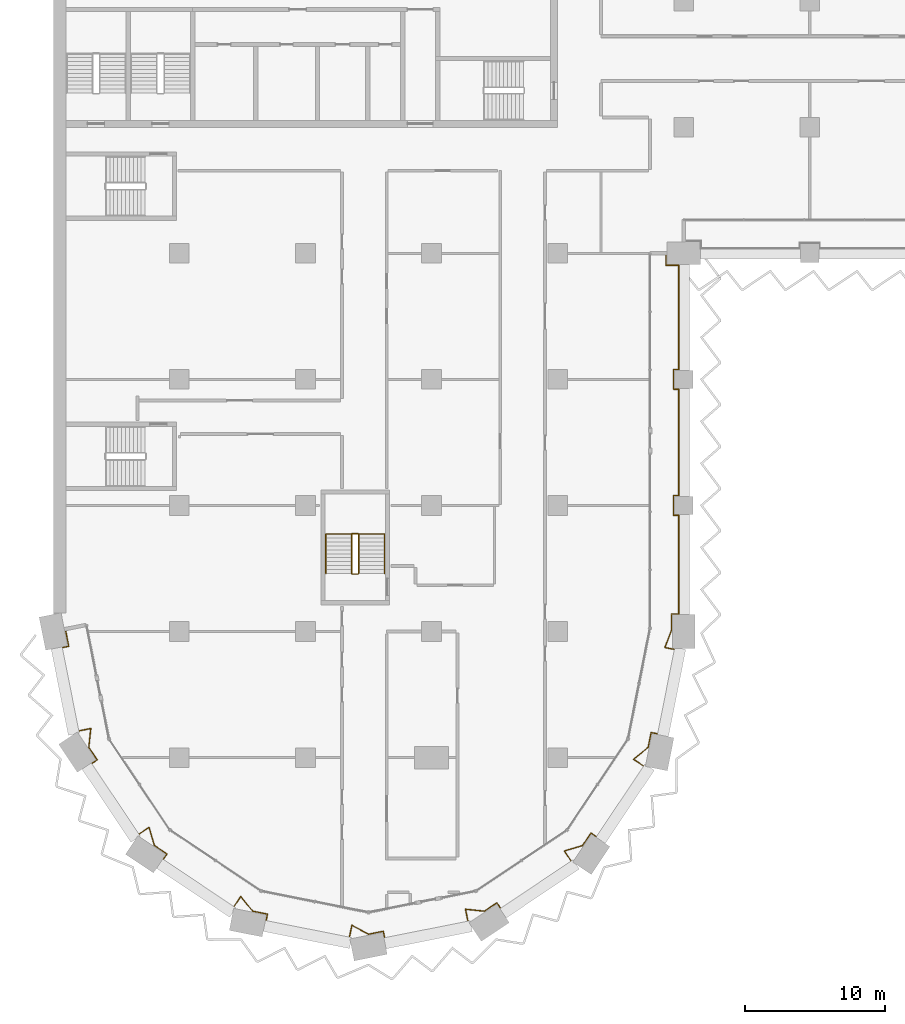
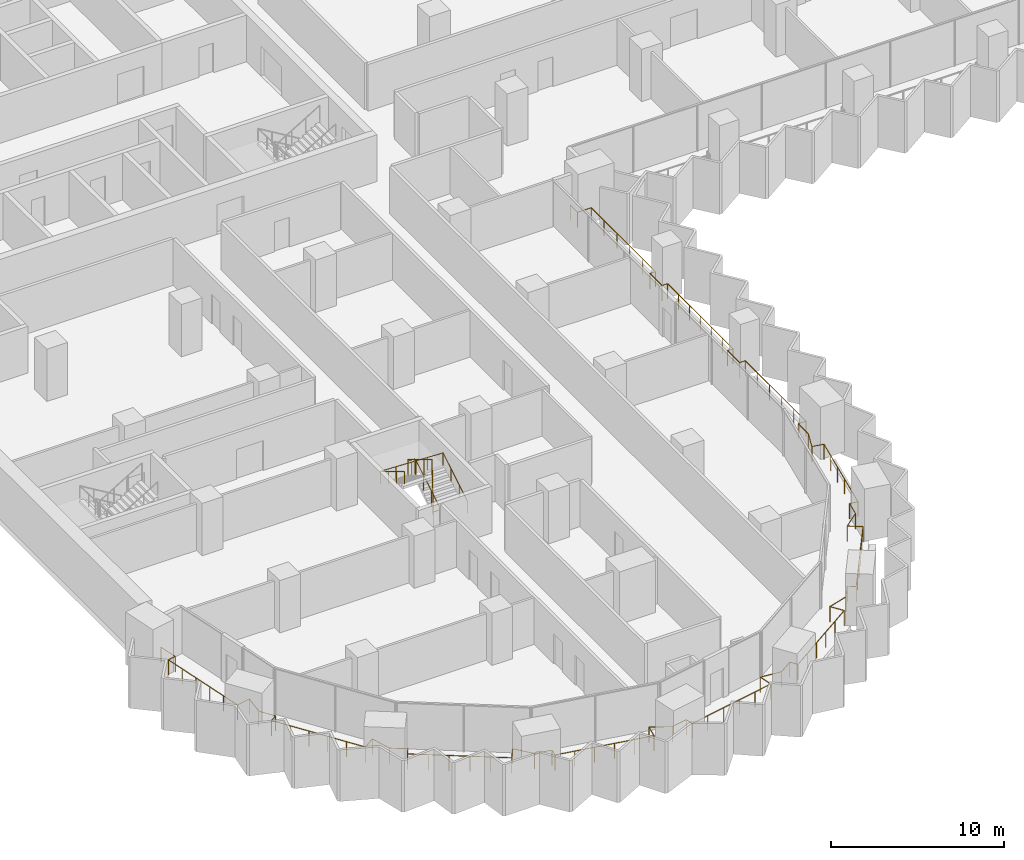
# One storey, part 24 of 28: 3 railings.
"""IFC4 building model written with IfcOpenShell, lengths in metres."""

from ifc_helpers import new_model, si_unit, direction, frame, origin, origin_2d, place, context, subcontext, project, spatial, circle, extrude, material, type_object, element, save


model = new_model("IFC4")

# Units and contexts
model_context = context("Model", 3, precision=1e-05, world=origin(), true_north=direction((0.0, 1.0)))
body_context = subcontext(model_context, "Body", "Model", "MODEL_VIEW")
ifc_project = project(units=[si_unit("LENGTHUNIT", "METRE"), si_unit("AREAUNIT", "SQUARE_METRE"), si_unit("VOLUMEUNIT", "CUBIC_METRE"), si_unit("PLANEANGLEUNIT", "RADIAN"), si_unit("MASSUNIT", "GRAM", prefix="KILO")], contexts=[model_context])

# Site, building, storey
site_placement = place(None, origin())
site = spatial("IfcSite", under=ifc_project, at=site_placement, CompositionType="ELEMENT")
building_placement = place(site_placement, origin())
building = spatial("IfcBuilding", under=site, at=building_placement, Name="Hunhe Ridgeline Campus", CompositionType="ELEMENT")
storey_placement = place(building_placement, frame((0.0, 0.0, 61.699951171875)))
storey = spatial("IfcBuildingStorey", under=building, at=storey_placement, Name="L14", CompositionType="ELEMENT", Elevation=61.699951171875)

# Railings
ifc_material_1 = material(Name="Steel Q355", Category="steel")
railing_type_1 = type_object("IfcRailingType", Name="Loggia guard 1100 Steel Q355", PredefinedType="GUARDRAIL", material=ifc_material_1)
railing_1_placement = place(storey_placement, frame((0.853271484375, 27.169677734375, 0.0)))
element("IfcRailing", 1, at=railing_1_placement, inside=storey, type_object=railing_type_1, Name="Loggia guard 1", PredefinedType="GUARDRAIL", context=body_context, shape_type="SweptSolid", body=[
    extrude(circle(Radius=0.02392578125, at=origin_2d()), frame((0.0, 0.0, 1.076171875), z_axis=(0.195139364365, -0.980775523999, 0.0), x_axis=(0.980775523999, 0.195139364365, 0.0)), (0.0, 0.0, 1.0), 1.249755859375),
    extrude(circle(Radius=0.02392578125, at=origin_2d()), frame((0.243896484375, -1.225830078125, 1.076171875), z_axis=(-0.980742851189, -0.195303506986, 0.0), x_axis=(0.195303506986, -0.980742851189, 0.0)), (0.0, 0.0, 1.0), 0.52001953125),
    extrude(circle(Radius=0.02392578125, at=origin_2d()), frame((-0.26611328125, -1.327392578125, 1.076171875), z_axis=(0.195094074844, -0.980784533912, 0.0), x_axis=(0.980784533912, 0.195094074844, 0.0)), (0.0, 0.0, 1.0), 6.064208984375),
    extrude(circle(Radius=0.02392578125, at=origin_2d()), frame((0.9169921875, -7.275146484375, 1.076171875), z_axis=(0.980774480174, 0.195144610585, 0.0), x_axis=(-0.195144610585, 0.980774480174, 0.0)), (0.0, 0.0, 1.0), 0.918212890625),
    extrude(circle(Radius=0.02392578125, at=origin_2d()), frame((1.817626953125, -7.095947265625, 1.076171875), z_axis=(-0.102578746514, -0.994724886973, 0.0), x_axis=(0.994724886973, -0.102578746514, 0.0)), (0.0, 0.0, 1.0), 1.351806640625),
    extrude(circle(Radius=0.02392578125, at=origin_2d()), frame((1.678955078125, -8.440673828125, 1.076171875), z_axis=(0.555693885997, -0.831386976724, 0.0), x_axis=(0.831386976724, 0.555693885997, 0.0)), (0.0, 0.0, 1.0), 1.076904296875),
    extrude(circle(Radius=0.02392578125, at=origin_2d()), frame((2.27734375, -9.3359375, 1.076171875), z_axis=(-0.831327417949, -0.555782982977, 0.0), x_axis=(0.555782982977, -0.831327417949, 0.0)), (0.0, 0.0, 1.0), 0.52001953125),
    extrude(circle(Radius=0.02392578125, at=origin_2d()), frame((1.844970703125, -9.625, 1.076171875), z_axis=(0.55557319973, -0.831467630002, 0.0), x_axis=(0.831467630002, 0.55557319973, 0.0)), (0.0, 0.0, 1.0), 6.064208984375),
    extrude(circle(Radius=0.02392578125, at=origin_2d()), frame((5.214111328125, -14.667236328125, 1.076171875), z_axis=(0.831395250422, 0.555681507318, 0.0), x_axis=(-0.555681507318, 0.831395250422, 0.0)), (0.0, 0.0, 1.0), 0.918212890625),
    extrude(circle(Radius=0.02392578125, at=origin_2d()), frame((5.9775390625, -14.156982421875, 1.076171875), z_axis=(0.285889499126, -0.958262591511, 0.0), x_axis=(0.958262591511, 0.285889499126, 0.0)), (0.0, 0.0, 1.0), 1.351806640625),
    extrude(circle(Radius=0.02392578125, at=origin_2d()), frame((6.364013671875, -15.452392578125, 1.076171875), z_axis=(0.831456967492, -0.555589156849, 0.0), x_axis=(0.555589156849, 0.831456967492, 0.0)), (0.0, 0.0, 1.0), 1.0771484375),
    extrude(circle(Radius=0.02392578125, at=origin_2d()), frame((7.259521484375, -16.05078125, 1.076171875), z_axis=(-0.555675381322, -0.831399344835, 0.0), x_axis=(0.831399344835, -0.555675381322, 0.0)), (0.0, 0.0, 1.0), 0.519775390625),
    extrude(circle(Radius=0.02392578125, at=origin_2d()), frame((6.970703125, -16.48291015625, 1.076171875), z_axis=(0.831467630002, -0.55557319973, 0.0), x_axis=(0.55557319973, 0.831467630002, 0.0)), (0.0, 0.0, 1.0), 6.064208984375),
    extrude(circle(Radius=0.02392578125, at=origin_2d()), frame((12.012939453125, -19.85205078125, 1.076171875), z_axis=(0.555497688072, 0.831518080709, 0.0), x_axis=(-0.831518080709, 0.555497688072, 0.0)), (0.0, 0.0, 1.0), 0.918212890625),
    extrude(circle(Radius=0.02392578125, at=origin_2d()), frame((12.52294921875, -19.088623046875, 1.076171875), z_axis=(0.630864561128, -0.775892972976, 0.0), x_axis=(0.775892972976, 0.630864561128, 0.0)), (0.0, 0.0, 1.0), 1.351806640625),
    extrude(circle(Radius=0.02392578125, at=origin_2d()), frame((13.375732421875, -20.137451171875, 1.076171875), z_axis=(0.980771998786, -0.195157081339, 0.0), x_axis=(0.195157081339, 0.980771998786, 0.0)), (0.0, 0.0, 1.0), 1.0771484375),
    extrude(circle(Radius=0.02392578125, at=origin_2d()), frame((14.43212890625, -20.34765625, 1.076171875), z_axis=(-0.195303506986, -0.980742851189, 0.0), x_axis=(0.980742851189, -0.195303506986, 0.0)), (0.0, 0.0, 1.0), 0.52001953125),
    extrude(circle(Radius=0.02392578125, at=origin_2d()), frame((14.33056640625, -20.857666015625, 1.076171875), z_axis=(0.980792236535, -0.195055347919, 0.0), x_axis=(0.195055347919, 0.980792236535, 0.0)), (0.0, 0.0, 1.0), 6.064208984375),
    extrude(circle(Radius=0.02392578125, at=origin_2d()), frame((20.2783203125, -22.04052734375, 1.076171875), z_axis=(0.195144610585, 0.980774480174, 0.0), x_axis=(-0.980774480174, 0.195144610585, 0.0)), (0.0, 0.0, 1.0), 0.918212890625),
    extrude(circle(Radius=0.02392578125, at=origin_2d()), frame((20.45751953125, -21.139892578125, 1.076171875), z_axis=(0.879704471732, -0.475520811757, 0.0), x_axis=(0.475520811757, 0.879704471732, 0.0)), (0.0, 0.0, 1.0), 1.351806640625),
    extrude(circle(Radius=0.02392578125, at=origin_2d()), frame((21.646728515625, -21.78271484375, 1.076171875), z_axis=(0.980763363144, 0.195200475189, 0.0), x_axis=(-0.195200475189, 0.980763363144, 0.0)), (0.0, 0.0, 1.0), 1.076904296875),
    extrude(circle(Radius=0.02392578125, at=origin_2d()), frame((22.702880859375, -21.572509765625, 1.076171875), z_axis=(0.195303506986, -0.980742851189, 0.0), x_axis=(0.980742851189, 0.195303506986, 0.0)), (0.0, 0.0, 1.0), 0.52001953125),
    extrude(circle(Radius=0.02392578125, at=origin_2d()), frame((22.804443359375, -22.08251953125, 1.076171875), z_axis=(0.980784533912, 0.195094074844, 0.0), x_axis=(-0.195094074844, 0.980784533912, 0.0)), (0.0, 0.0, 1.0), 6.064208984375),
    extrude(circle(Radius=0.02392578125, at=origin_2d()), frame((28.752197265625, -20.8994140625, 1.076171875), z_axis=(-0.195144610585, 0.980774480174, 0.0), x_axis=(-0.980774480174, -0.195144610585, 0.0)), (0.0, 0.0, 1.0), 0.918212890625),
    extrude(circle(Radius=0.02392578125, at=origin_2d()), frame((28.572998046875, -19.998779296875, 1.076171875), z_axis=(0.994724886973, -0.102578746514, 0.0), x_axis=(0.102578746514, 0.994724886973, 0.0)), (0.0, 0.0, 1.0), 1.351806640625),
    extrude(circle(Radius=0.02392578125, at=origin_2d()), frame((29.917724609375, -20.137451171875, 1.076171875), z_axis=(0.831386976724, 0.555693885997, 0.0), x_axis=(-0.555693885997, 0.831386976724, 0.0)), (0.0, 0.0, 1.0), 1.076904296875),
    extrude(circle(Radius=0.02392578125, at=origin_2d()), frame((30.81298828125, -19.5390625, 1.076171875), z_axis=(0.555782982977, -0.831327417949, 0.0), x_axis=(0.831327417949, 0.555782982977, 0.0)), (0.0, 0.0, 1.0), 0.52001953125),
    extrude(circle(Radius=0.02392578125, at=origin_2d()), frame((31.10205078125, -19.971435546875, 1.076171875), z_axis=(0.831467630002, 0.55557319973, 0.0), x_axis=(-0.55557319973, 0.831467630002, 0.0)), (0.0, 0.0, 1.0), 6.064208984375),
    extrude(circle(Radius=0.02392578125, at=origin_2d()), frame((36.144287109375, -16.602294921875, 1.076171875), z_axis=(-0.555681507318, 0.831395250422, 0.0), x_axis=(-0.831395250422, -0.555681507318, 0.0)), (0.0, 0.0, 1.0), 0.918212890625),
    extrude(circle(Radius=0.02392578125, at=origin_2d()), frame((35.634033203125, -15.8388671875, 1.076171875), z_axis=(0.958262591511, 0.285889499126, 0.0), x_axis=(-0.285889499126, 0.958262591511, 0.0)), (0.0, 0.0, 1.0), 1.351806640625),
    extrude(circle(Radius=0.02392578125, at=origin_2d()), frame((36.929443359375, -15.452392578125, 1.076171875), z_axis=(0.555589156849, 0.831456967492, 0.0), x_axis=(-0.831456967492, 0.555589156849, 0.0)), (0.0, 0.0, 1.0), 1.0771484375),
    extrude(circle(Radius=0.02392578125, at=origin_2d()), frame((37.52783203125, -14.556884765625, 1.076171875), z_axis=(0.831399344835, -0.555675381322, 0.0), x_axis=(0.555675381322, 0.831399344835, 0.0)), (0.0, 0.0, 1.0), 0.519775390625),
    extrude(circle(Radius=0.02392578125, at=origin_2d()), frame((37.9599609375, -14.845703125, 1.076171875), z_axis=(0.55557319973, 0.831467630002, 0.0), x_axis=(-0.831467630002, 0.55557319973, 0.0)), (0.0, 0.0, 1.0), 6.064208984375),
    extrude(circle(Radius=0.02392578125, at=origin_2d()), frame((41.3291015625, -9.803466796875, 1.076171875), z_axis=(-0.831518080709, 0.555497688072, 0.0), x_axis=(-0.555497688072, -0.831518080709, 0.0)), (0.0, 0.0, 1.0), 0.918212890625),
    extrude(circle(Radius=0.02392578125, at=origin_2d()), frame((40.565673828125, -9.29345703125, 1.076171875), z_axis=(0.775892972976, 0.630864561128, 0.0), x_axis=(-0.630864561128, 0.775892972976, 0.0)), (0.0, 0.0, 1.0), 1.351806640625),
    extrude(circle(Radius=0.02392578125, at=origin_2d()), frame((41.614501953125, -8.440673828125, 1.076171875), z_axis=(0.195157081339, 0.980771998786, 0.0), x_axis=(-0.980771998786, 0.195157081339, 0.0)), (0.0, 0.0, 1.0), 1.0771484375),
    extrude(circle(Radius=0.02392578125, at=origin_2d()), frame((41.82470703125, -7.38427734375, 1.076171875), z_axis=(0.980742851189, -0.195303506986, 0.0), x_axis=(0.195303506986, 0.980742851189, 0.0)), (0.0, 0.0, 1.0), 0.52001953125),
    extrude(circle(Radius=0.02392578125, at=origin_2d()), frame((42.334716796875, -7.48583984375, 1.076171875), z_axis=(0.19507712928, 0.980787904509, 0.0), x_axis=(-0.980787904509, 0.19507712928, 0.0)), (0.0, 0.0, 1.0), 6.146240234375),
    extrude(circle(Radius=0.02392578125, at=origin_2d()), frame((43.53369140625, -1.457763671875, 1.076171875), z_axis=(-0.980808789294, 0.194972097602, 0.0), x_axis=(-0.194972097602, -0.980808789294, 0.0)), (0.0, 0.0, 1.0), 0.73876953125),
    extrude(circle(Radius=0.02392578125, at=origin_2d()), frame((42.80908203125, -1.313720703125, 1.076171875), z_axis=(0.35537018301, 0.93472564586, 0.0), x_axis=(-0.93472564586, 0.35537018301, 0.0)), (0.0, 0.0, 1.0), 1.315673828125),
    extrude(circle(Radius=0.02392578125, at=origin_2d()), frame((43.276611328125, -0.083984375, 1.076171875), z_axis=(0.0, 1.0, 0.0), x_axis=(-1.0, 0.0, 0.0)), (0.0, 0.0, 1.0), 1.164306640625),
    extrude(circle(Radius=0.02392578125, at=origin_2d()), frame((43.276611328125, 1.080322265625, 1.076171875), z_axis=(1.0, 0.0, 0.0), x_axis=(0.0, 1.0, 0.0)), (0.0, 0.0, 1.0), 0.52001953125),
    extrude(circle(Radius=0.02392578125, at=origin_2d()), frame((43.796630859375, 1.080322265625, 1.076171875), z_axis=(0.0, 1.0, 0.0), x_axis=(-1.0, 0.0, 0.0)), (0.0, 0.0, 1.0), 7.050048828125),
    extrude(circle(Radius=0.02392578125, at=origin_2d()), frame((43.796630859375, 8.13037109375, 1.076171875), z_axis=(-1.0, 0.0, 0.0), x_axis=(0.0, -1.0, 0.0)), (0.0, 0.0, 1.0), 0.369873046875),
    extrude(circle(Radius=0.02392578125, at=origin_2d()), frame((43.4267578125, 8.13037109375, 1.076171875), z_axis=(0.0, 1.0, 0.0), x_axis=(-1.0, 0.0, 0.0)), (0.0, 0.0, 1.0), 1.39990234375),
    extrude(circle(Radius=0.02392578125, at=origin_2d()), frame((43.4267578125, 9.5302734375, 1.076171875), z_axis=(1.0, 0.0, 0.0), x_axis=(0.0, 1.0, 0.0)), (0.0, 0.0, 1.0), 0.369873046875),
    extrude(circle(Radius=0.02392578125, at=origin_2d()), frame((43.796630859375, 9.5302734375, 1.076171875), z_axis=(0.0, 1.0, 0.0), x_axis=(-1.0, 0.0, 0.0)), (0.0, 0.0, 1.0), 7.60009765625),
    extrude(circle(Radius=0.02392578125, at=origin_2d()), frame((43.796630859375, 17.13037109375, 1.076171875), z_axis=(-1.0, 0.0, 0.0), x_axis=(0.0, -1.0, 0.0)), (0.0, 0.0, 1.0), 0.369873046875),
    extrude(circle(Radius=0.02392578125, at=origin_2d()), frame((43.4267578125, 17.13037109375, 1.076171875), z_axis=(0.0, 1.0, 0.0), x_axis=(-1.0, 0.0, 0.0)), (0.0, 0.0, 1.0), 1.39990234375),
    extrude(circle(Radius=0.02392578125, at=origin_2d()), frame((43.4267578125, 18.5302734375, 1.076171875), z_axis=(1.0, 0.0, 0.0), x_axis=(0.0, 1.0, 0.0)), (0.0, 0.0, 1.0), 0.369873046875),
    extrude(circle(Radius=0.02392578125, at=origin_2d()), frame((43.796630859375, 18.5302734375, 1.076171875), z_axis=(0.0, 1.0, 0.0), x_axis=(-1.0, 0.0, 0.0)), (0.0, 0.0, 1.0), 7.449951171875),
    extrude(circle(Radius=0.02392578125, at=origin_2d()), frame((43.796630859375, 25.980224609375, 1.076171875), z_axis=(-1.0, 0.0, 0.0), x_axis=(0.0, -1.0, 0.0)), (0.0, 0.0, 1.0), 0.919921875),
    extrude(circle(Radius=0.02392578125, at=origin_2d()), frame((42.876708984375, 25.980224609375, 1.076171875), z_axis=(0.0, 1.0, 0.0), x_axis=(-1.0, 0.0, 0.0)), (0.0, 0.0, 1.0), 0.85009765625),
    extrude(circle(Radius=0.02099609375, at=origin_2d()), origin(), (0.0, 0.0, 1.0), 1.052001953125),
    extrude(circle(Radius=0.02099609375, at=origin_2d()), frame((0.243896484375, -1.225830078125, 0.0)), (0.0, 0.0, 1.0), 1.052001953125),
    extrude(circle(Radius=0.02099609375, at=origin_2d()), frame((-0.26611328125, -1.327392578125, 0.0)), (0.0, 0.0, 1.0), 1.052001953125),
    extrude(circle(Radius=0.02099609375, at=origin_2d()), frame((-0.029541015625, -2.516845703125, 0.0)), (0.0, 0.0, 1.0), 1.052001953125),
    extrude(circle(Radius=0.02099609375, at=origin_2d()), frame((0.20703125, -3.70654296875, 0.0)), (0.0, 0.0, 1.0), 1.052001953125),
    extrude(circle(Radius=0.02099609375, at=origin_2d()), frame((0.44384765625, -4.89599609375, 0.0)), (0.0, 0.0, 1.0), 1.052001953125),
    extrude(circle(Radius=0.02099609375, at=origin_2d()), frame((0.680419921875, -6.085693359375, 0.0)), (0.0, 0.0, 1.0), 1.052001953125),
    extrude(circle(Radius=0.02099609375, at=origin_2d()), frame((0.9169921875, -7.275146484375, 0.0)), (0.0, 0.0, 1.0), 1.052001953125),
    extrude(circle(Radius=0.02099609375, at=origin_2d()), frame((1.817626953125, -7.095947265625, 0.0)), (0.0, 0.0, 1.0), 1.052001953125),
    extrude(circle(Radius=0.02099609375, at=origin_2d()), frame((1.678955078125, -8.440673828125, 0.0)), (0.0, 0.0, 1.0), 1.052001953125),
    extrude(circle(Radius=0.02099609375, at=origin_2d()), frame((2.27734375, -9.3359375, 0.0)), (0.0, 0.0, 1.0), 1.052001953125),
    extrude(circle(Radius=0.02099609375, at=origin_2d()), frame((1.844970703125, -9.625, 0.0)), (0.0, 0.0, 1.0), 1.052001953125),
    extrude(circle(Radius=0.02099609375, at=origin_2d()), frame((2.518798828125, -10.633544921875, 0.0)), (0.0, 0.0, 1.0), 1.052001953125),
    extrude(circle(Radius=0.02099609375, at=origin_2d()), frame((3.192626953125, -11.641845703125, 0.0)), (0.0, 0.0, 1.0), 1.052001953125),
    extrude(circle(Radius=0.02099609375, at=origin_2d()), frame((3.866455078125, -12.650390625, 0.0)), (0.0, 0.0, 1.0), 1.052001953125),
    extrude(circle(Radius=0.02099609375, at=origin_2d()), frame((4.540283203125, -13.65869140625, 0.0)), (0.0, 0.0, 1.0), 1.052001953125),
    extrude(circle(Radius=0.02099609375, at=origin_2d()), frame((5.214111328125, -14.667236328125, 0.0)), (0.0, 0.0, 1.0), 1.052001953125),
    extrude(circle(Radius=0.02099609375, at=origin_2d()), frame((5.9775390625, -14.156982421875, 0.0)), (0.0, 0.0, 1.0), 1.052001953125),
    extrude(circle(Radius=0.02099609375, at=origin_2d()), frame((6.364013671875, -15.452392578125, 0.0)), (0.0, 0.0, 1.0), 1.052001953125),
    extrude(circle(Radius=0.02099609375, at=origin_2d()), frame((7.259521484375, -16.05078125, 0.0)), (0.0, 0.0, 1.0), 1.052001953125),
    extrude(circle(Radius=0.02099609375, at=origin_2d()), frame((6.970703125, -16.48291015625, 0.0)), (0.0, 0.0, 1.0), 1.052001953125),
    extrude(circle(Radius=0.02099609375, at=origin_2d()), frame((7.979248046875, -17.15673828125, 0.0)), (0.0, 0.0, 1.0), 1.052001953125),
    extrude(circle(Radius=0.02099609375, at=origin_2d()), frame((8.987548828125, -17.83056640625, 0.0)), (0.0, 0.0, 1.0), 1.052001953125),
    extrude(circle(Radius=0.02099609375, at=origin_2d()), frame((9.99609375, -18.50439453125, 0.0)), (0.0, 0.0, 1.0), 1.052001953125),
    extrude(circle(Radius=0.02099609375, at=origin_2d()), frame((11.00439453125, -19.17822265625, 0.0)), (0.0, 0.0, 1.0), 1.052001953125),
    extrude(circle(Radius=0.02099609375, at=origin_2d()), frame((12.012939453125, -19.85205078125, 0.0)), (0.0, 0.0, 1.0), 1.052001953125),
    extrude(circle(Radius=0.02099609375, at=origin_2d()), frame((12.52294921875, -19.088623046875, 0.0)), (0.0, 0.0, 1.0), 1.052001953125),
    extrude(circle(Radius=0.02099609375, at=origin_2d()), frame((13.375732421875, -20.137451171875, 0.0)), (0.0, 0.0, 1.0), 1.052001953125),
    extrude(circle(Radius=0.02099609375, at=origin_2d()), frame((14.43212890625, -20.34765625, 0.0)), (0.0, 0.0, 1.0), 1.052001953125),
    extrude(circle(Radius=0.02099609375, at=origin_2d()), frame((14.33056640625, -20.857666015625, 0.0)), (0.0, 0.0, 1.0), 1.052001953125),
    extrude(circle(Radius=0.02099609375, at=origin_2d()), frame((15.52001953125, -21.09423828125, 0.0)), (0.0, 0.0, 1.0), 1.052001953125),
    extrude(circle(Radius=0.02099609375, at=origin_2d()), frame((16.709716796875, -21.330810546875, 0.0)), (0.0, 0.0, 1.0), 1.052001953125),
    extrude(circle(Radius=0.02099609375, at=origin_2d()), frame((17.899169921875, -21.5673828125, 0.0)), (0.0, 0.0, 1.0), 1.052001953125),
    extrude(circle(Radius=0.02099609375, at=origin_2d()), frame((19.0888671875, -21.803955078125, 0.0)), (0.0, 0.0, 1.0), 1.052001953125),
    extrude(circle(Radius=0.02099609375, at=origin_2d()), frame((20.2783203125, -22.04052734375, 0.0)), (0.0, 0.0, 1.0), 1.052001953125),
    extrude(circle(Radius=0.02099609375, at=origin_2d()), frame((20.45751953125, -21.139892578125, 0.0)), (0.0, 0.0, 1.0), 1.052001953125),
    extrude(circle(Radius=0.02099609375, at=origin_2d()), frame((21.646728515625, -21.78271484375, 0.0)), (0.0, 0.0, 1.0), 1.052001953125),
    extrude(circle(Radius=0.02099609375, at=origin_2d()), frame((22.702880859375, -21.572509765625, 0.0)), (0.0, 0.0, 1.0), 1.052001953125),
    extrude(circle(Radius=0.02099609375, at=origin_2d()), frame((22.804443359375, -22.08251953125, 0.0)), (0.0, 0.0, 1.0), 1.052001953125),
    extrude(circle(Radius=0.02099609375, at=origin_2d()), frame((23.993896484375, -21.845947265625, 0.0)), (0.0, 0.0, 1.0), 1.052001953125),
    extrude(circle(Radius=0.02099609375, at=origin_2d()), frame((25.18359375, -21.609375, 0.0)), (0.0, 0.0, 1.0), 1.052001953125),
    extrude(circle(Radius=0.02099609375, at=origin_2d()), frame((26.373046875, -21.37255859375, 0.0)), (0.0, 0.0, 1.0), 1.052001953125),
    extrude(circle(Radius=0.02099609375, at=origin_2d()), frame((27.562744140625, -21.135986328125, 0.0)), (0.0, 0.0, 1.0), 1.052001953125),
    extrude(circle(Radius=0.02099609375, at=origin_2d()), frame((28.752197265625, -20.8994140625, 0.0)), (0.0, 0.0, 1.0), 1.052001953125),
    extrude(circle(Radius=0.02099609375, at=origin_2d()), frame((28.572998046875, -19.998779296875, 0.0)), (0.0, 0.0, 1.0), 1.052001953125),
    extrude(circle(Radius=0.02099609375, at=origin_2d()), frame((29.917724609375, -20.137451171875, 0.0)), (0.0, 0.0, 1.0), 1.052001953125),
    extrude(circle(Radius=0.02099609375, at=origin_2d()), frame((30.81298828125, -19.5390625, 0.0)), (0.0, 0.0, 1.0), 1.052001953125),
    extrude(circle(Radius=0.02099609375, at=origin_2d()), frame((31.10205078125, -19.971435546875, 0.0)), (0.0, 0.0, 1.0), 1.052001953125),
    extrude(circle(Radius=0.02099609375, at=origin_2d()), frame((32.110595703125, -19.297607421875, 0.0)), (0.0, 0.0, 1.0), 1.052001953125),
    extrude(circle(Radius=0.02099609375, at=origin_2d()), frame((33.118896484375, -18.623779296875, 0.0)), (0.0, 0.0, 1.0), 1.052001953125),
    extrude(circle(Radius=0.02099609375, at=origin_2d()), frame((34.12744140625, -17.949951171875, 0.0)), (0.0, 0.0, 1.0), 1.052001953125),
    extrude(circle(Radius=0.02099609375, at=origin_2d()), frame((35.1357421875, -17.276123046875, 0.0)), (0.0, 0.0, 1.0), 1.052001953125),
    extrude(circle(Radius=0.02099609375, at=origin_2d()), frame((36.144287109375, -16.602294921875, 0.0)), (0.0, 0.0, 1.0), 1.052001953125),
    extrude(circle(Radius=0.02099609375, at=origin_2d()), frame((35.634033203125, -15.8388671875, 0.0)), (0.0, 0.0, 1.0), 1.052001953125),
    extrude(circle(Radius=0.02099609375, at=origin_2d()), frame((36.929443359375, -15.452392578125, 0.0)), (0.0, 0.0, 1.0), 1.052001953125),
    extrude(circle(Radius=0.02099609375, at=origin_2d()), frame((37.52783203125, -14.556884765625, 0.0)), (0.0, 0.0, 1.0), 1.052001953125),
    extrude(circle(Radius=0.02099609375, at=origin_2d()), frame((37.9599609375, -14.845703125, 0.0)), (0.0, 0.0, 1.0), 1.052001953125),
    extrude(circle(Radius=0.02099609375, at=origin_2d()), frame((38.6337890625, -13.837158203125, 0.0)), (0.0, 0.0, 1.0), 1.052001953125),
    extrude(circle(Radius=0.02099609375, at=origin_2d()), frame((39.3076171875, -12.828857421875, 0.0)), (0.0, 0.0, 1.0), 1.052001953125),
    extrude(circle(Radius=0.02099609375, at=origin_2d()), frame((39.9814453125, -11.8203125, 0.0)), (0.0, 0.0, 1.0), 1.052001953125),
    extrude(circle(Radius=0.02099609375, at=origin_2d()), frame((40.6552734375, -10.81201171875, 0.0)), (0.0, 0.0, 1.0), 1.052001953125),
    extrude(circle(Radius=0.02099609375, at=origin_2d()), frame((41.3291015625, -9.803466796875, 0.0)), (0.0, 0.0, 1.0), 1.052001953125),
    extrude(circle(Radius=0.02099609375, at=origin_2d()), frame((40.565673828125, -9.29345703125, 0.0)), (0.0, 0.0, 1.0), 1.052001953125),
    extrude(circle(Radius=0.02099609375, at=origin_2d()), frame((41.614501953125, -8.440673828125, 0.0)), (0.0, 0.0, 1.0), 1.052001953125),
    extrude(circle(Radius=0.02099609375, at=origin_2d()), frame((41.82470703125, -7.38427734375, 0.0)), (0.0, 0.0, 1.0), 1.052001953125),
    extrude(circle(Radius=0.02099609375, at=origin_2d()), frame((42.334716796875, -7.48583984375, 0.0)), (0.0, 0.0, 1.0), 1.052001953125),
    extrude(circle(Radius=0.02099609375, at=origin_2d()), frame((42.574462890625, -6.2802734375, 0.0)), (0.0, 0.0, 1.0), 1.052001953125),
    extrude(circle(Radius=0.02099609375, at=origin_2d()), frame((42.814208984375, -5.07470703125, 0.0)), (0.0, 0.0, 1.0), 1.052001953125),
    extrude(circle(Radius=0.02099609375, at=origin_2d()), frame((43.05419921875, -3.868896484375, 0.0)), (0.0, 0.0, 1.0), 1.052001953125),
    extrude(circle(Radius=0.02099609375, at=origin_2d()), frame((43.2939453125, -2.663330078125, 0.0)), (0.0, 0.0, 1.0), 1.052001953125),
    extrude(circle(Radius=0.02099609375, at=origin_2d()), frame((43.53369140625, -1.457763671875, 0.0)), (0.0, 0.0, 1.0), 1.052001953125),
    extrude(circle(Radius=0.02099609375, at=origin_2d()), frame((42.80908203125, -1.313720703125, 0.0)), (0.0, 0.0, 1.0), 1.052001953125),
    extrude(circle(Radius=0.02099609375, at=origin_2d()), frame((43.276611328125, -0.083984375, 0.0)), (0.0, 0.0, 1.0), 1.052001953125),
    extrude(circle(Radius=0.02099609375, at=origin_2d()), frame((43.276611328125, 1.080322265625, 0.0)), (0.0, 0.0, 1.0), 1.052001953125),
    extrude(circle(Radius=0.02099609375, at=origin_2d()), frame((43.796630859375, 1.080322265625, 0.0)), (0.0, 0.0, 1.0), 1.052001953125),
    extrude(circle(Radius=0.02099609375, at=origin_2d()), frame((43.796630859375, 2.490234375, 0.0)), (0.0, 0.0, 1.0), 1.052001953125),
    extrude(circle(Radius=0.02099609375, at=origin_2d()), frame((43.796630859375, 3.900390625, 0.0)), (0.0, 0.0, 1.0), 1.052001953125),
    extrude(circle(Radius=0.02099609375, at=origin_2d()), frame((43.796630859375, 5.310302734375, 0.0)), (0.0, 0.0, 1.0), 1.052001953125),
    extrude(circle(Radius=0.02099609375, at=origin_2d()), frame((43.796630859375, 6.720458984375, 0.0)), (0.0, 0.0, 1.0), 1.052001953125),
    extrude(circle(Radius=0.02099609375, at=origin_2d()), frame((43.796630859375, 8.13037109375, 0.0)), (0.0, 0.0, 1.0), 1.052001953125),
    extrude(circle(Radius=0.02099609375, at=origin_2d()), frame((43.4267578125, 8.13037109375, 0.0)), (0.0, 0.0, 1.0), 1.052001953125),
    extrude(circle(Radius=0.02099609375, at=origin_2d()), frame((43.4267578125, 9.5302734375, 0.0)), (0.0, 0.0, 1.0), 1.052001953125),
    extrude(circle(Radius=0.02099609375, at=origin_2d()), frame((43.796630859375, 9.5302734375, 0.0)), (0.0, 0.0, 1.0), 1.052001953125),
    extrude(circle(Radius=0.02099609375, at=origin_2d()), frame((43.796630859375, 10.796875, 0.0)), (0.0, 0.0, 1.0), 1.052001953125),
    extrude(circle(Radius=0.02099609375, at=origin_2d()), frame((43.796630859375, 12.063720703125, 0.0)), (0.0, 0.0, 1.0), 1.052001953125),
    extrude(circle(Radius=0.02099609375, at=origin_2d()), frame((43.796630859375, 13.330322265625, 0.0)), (0.0, 0.0, 1.0), 1.052001953125),
    extrude(circle(Radius=0.02099609375, at=origin_2d()), frame((43.796630859375, 14.596923828125, 0.0)), (0.0, 0.0, 1.0), 1.052001953125),
    extrude(circle(Radius=0.02099609375, at=origin_2d()), frame((43.796630859375, 15.86376953125, 0.0)), (0.0, 0.0, 1.0), 1.052001953125),
    extrude(circle(Radius=0.02099609375, at=origin_2d()), frame((43.796630859375, 17.13037109375, 0.0)), (0.0, 0.0, 1.0), 1.052001953125),
    extrude(circle(Radius=0.02099609375, at=origin_2d()), frame((43.4267578125, 17.13037109375, 0.0)), (0.0, 0.0, 1.0), 1.052001953125),
    extrude(circle(Radius=0.02099609375, at=origin_2d()), frame((43.4267578125, 18.5302734375, 0.0)), (0.0, 0.0, 1.0), 1.052001953125),
    extrude(circle(Radius=0.02099609375, at=origin_2d()), frame((43.796630859375, 18.5302734375, 0.0)), (0.0, 0.0, 1.0), 1.052001953125),
    extrude(circle(Radius=0.02099609375, at=origin_2d()), frame((43.796630859375, 20.020263671875, 0.0)), (0.0, 0.0, 1.0), 1.052001953125),
    extrude(circle(Radius=0.02099609375, at=origin_2d()), frame((43.796630859375, 21.51025390625, 0.0)), (0.0, 0.0, 1.0), 1.052001953125),
    extrude(circle(Radius=0.02099609375, at=origin_2d()), frame((43.796630859375, 23.000244140625, 0.0)), (0.0, 0.0, 1.0), 1.052001953125),
    extrude(circle(Radius=0.02099609375, at=origin_2d()), frame((43.796630859375, 24.490234375, 0.0)), (0.0, 0.0, 1.0), 1.052001953125),
    extrude(circle(Radius=0.02099609375, at=origin_2d()), frame((43.796630859375, 25.980224609375, 0.0)), (0.0, 0.0, 1.0), 1.052001953125),
    extrude(circle(Radius=0.02099609375, at=origin_2d()), frame((42.876708984375, 25.980224609375, 0.0)), (0.0, 0.0, 1.0), 1.052001953125),
    extrude(circle(Radius=0.02099609375, at=origin_2d()), frame((42.876708984375, 26.830322265625, 0.0)), (0.0, 0.0, 1.0), 1.052001953125),
])
ifc_material_2 = material(Name="Stainless steel balustrade", Category="steel")
railing_type_2 = type_object("IfcRailingType", Name="Stair guard 1100 stainless", PredefinedType="GUARDRAIL", material=ifc_material_2)
railing_2_placement = place(storey_placement, frame((21.800048828125, 31.14990234375, 0.168212890625)))
element("IfcRailing", 2, at=railing_2_placement, inside=storey, type_object=railing_type_2, Name="L14 stair W3 guard", PredefinedType="GUARDRAIL", context=body_context, shape_type="SweptSolid", body=[
    extrude(circle(Radius=0.02392578125, at=origin_2d()), frame((0.0, 0.0, 1.076171875), z_axis=(0.0, 0.857242210791, 0.514913383045), x_axis=(-1.0, 0.0, 0.0)), (0.0, 0.0, 1.0), 3.266357421875),
    extrude(circle(Radius=0.02392578125, at=origin_2d()), frame((0.0, 2.800048828125, 2.7578125), z_axis=(-0.707106781187, 0.707106781187, 0.0), x_axis=(-0.707106781187, -0.707106781187, 0.0)), (0.0, 0.0, 1.0), 0.07080078125),
    extrude(circle(Radius=0.02392578125, at=origin_2d()), frame((-0.050048828125, 2.85009765625, 2.7578125), z_axis=(-1.0, 0.0, 0.0), x_axis=(0.0, -1.0, 0.0)), (0.0, 0.0, 1.0), 0.39990234375),
    extrude(circle(Radius=0.02392578125, at=origin_2d()), frame((-0.449951171875, 2.85009765625, 2.7578125), z_axis=(-0.274243871929, -0.274243871929, 0.92172696468), x_axis=(0.707106781187, -0.707106781187, 0.0)), (0.0, 0.0, 1.0), 0.1826171875),
    extrude(circle(Radius=0.02392578125, at=origin_2d()), frame((-0.5, 2.800048828125, 2.92626953125), z_axis=(0.0, -0.857275202839, 0.514858452973), x_axis=(1.0, 0.0, 0.0)), (0.0, 0.0, 1.0), 3.26611328125),
    extrude(circle(Radius=0.02392578125, at=origin_2d()), frame((-0.5, 0.0, 4.60791015625), z_axis=(0.013524426427, -0.013458453615, -0.999817963389), x_axis=(0.705375805398, 0.708833529934, 0.0)), (0.0, 0.0, 1.0), 3.70068359375),
    extrude(circle(Radius=0.02392578125, at=origin_2d()), frame((-0.449951171875, -0.0498046875, 0.90771484375), z_axis=(1.0, 0.0, 0.0), x_axis=(0.0, 1.0, 0.0)), (0.0, 0.0, 1.0), 0.39990234375),
    extrude(circle(Radius=0.02099609375, at=origin_2d()), origin(), (0.0, 0.0, 1.0), 1.052001953125),
    extrude(circle(Radius=0.02099609375, at=origin_2d()), frame((0.0, 0.933349609375, 0.560546875)), (0.0, 0.0, 1.0), 1.052001953125),
    extrude(circle(Radius=0.02099609375, at=origin_2d()), frame((0.0, 1.86669921875, 1.121337890625)), (0.0, 0.0, 1.0), 1.052001953125),
    extrude(circle(Radius=0.02099609375, at=origin_2d()), frame((0.0, 2.800048828125, 1.681884765625)), (0.0, 0.0, 1.0), 1.052001953125),
    extrude(circle(Radius=0.02099609375, at=origin_2d()), frame((-0.050048828125, 2.85009765625, 1.681884765625)), (0.0, 0.0, 1.0), 1.052001953125),
    extrude(circle(Radius=0.02099609375, at=origin_2d()), frame((-0.449951171875, 2.85009765625, 1.681884765625)), (0.0, 0.0, 1.0), 1.052001953125),
    extrude(circle(Radius=0.02099609375, at=origin_2d()), frame((-0.5, 2.800048828125, 1.85009765625)), (0.0, 0.0, 1.0), 1.052001953125),
    extrude(circle(Radius=0.02099609375, at=origin_2d()), frame((-0.5, 1.86669921875, 2.41064453125)), (0.0, 0.0, 1.0), 1.052001953125),
    extrude(circle(Radius=0.02099609375, at=origin_2d()), frame((-0.5, 0.933349609375, 2.97119140625)), (0.0, 0.0, 1.0), 1.052001953125),
    extrude(circle(Radius=0.02099609375, at=origin_2d()), frame((-0.5, 0.0, 3.53173828125)), (0.0, 0.0, 1.0), 1.052001953125),
    extrude(circle(Radius=0.02099609375, at=origin_2d()), frame((-0.487548828125, -0.012451171875, 2.606689453125)), (0.0, 0.0, 1.0), 1.052001953125),
    extrude(circle(Radius=0.02099609375, at=origin_2d()), frame((-0.47509765625, -0.02490234375, 1.681640625)), (0.0, 0.0, 1.0), 1.052001953125),
    extrude(circle(Radius=0.02099609375, at=origin_2d()), frame((-0.46240234375, -0.037353515625, 0.7568359375)), (0.0, 0.0, 1.0), 1.052001953125),
    extrude(circle(Radius=0.02099609375, at=origin_2d()), frame((-0.449951171875, -0.0498046875, -0.168212890625)), (0.0, 0.0, 1.0), 1.052001953125),
    extrude(circle(Radius=0.02099609375, at=origin_2d()), frame((-0.050048828125, -0.0498046875, -0.168212890625)), (0.0, 0.0, 1.0), 1.052001953125),
])
ifc_material_3 = material(Name="Stainless steel handrail", Category="steel")
railing_type_3 = type_object("IfcRailingType", Name="Stair handrail 900 stainless", PredefinedType="HANDRAIL", material=ifc_material_3)
railing_3_placement = place(storey_placement, frame((23.64990234375, 31.14990234375, 0.168212890625)))
element("IfcRailing", 3, at=railing_3_placement, inside=storey, type_object=railing_type_3, Name="L14 stair W3 handrail", PredefinedType="HANDRAIL", context=body_context, shape_type="SweptSolid", body=[
    extrude(circle(Radius=0.02392578125, at=origin_2d()), frame((0.0, 0.0, 0.8759765625), z_axis=(0.0, 0.857242210791, 0.514913383045), x_axis=(-1.0, 0.0, 0.0)), (0.0, 0.0, 1.0), 3.266357421875),
    extrude(circle(Radius=0.02392578125, at=origin_2d()), frame((0.0, 2.800048828125, 2.5576171875), z_axis=(-0.999198916169, 0.0, 0.040019069537), x_axis=(0.0, -1.0, 0.0)), (0.0, 0.0, 1.0), 4.203369140625),
    extrude(circle(Radius=0.02392578125, at=origin_2d()), frame((-4.199951171875, 2.800048828125, 2.72607421875), z_axis=(0.0, -0.857275202839, 0.514858452973), x_axis=(1.0, 0.0, 0.0)), (0.0, 0.0, 1.0), 3.26611328125),
    extrude(circle(Radius=0.02099609375, at=origin_2d()), origin(), (0.0, 0.0, 1.0), 0.851806640625),
    extrude(circle(Radius=0.02099609375, at=origin_2d()), frame((0.0, 0.933349609375, 0.560546875)), (0.0, 0.0, 1.0), 0.851806640625),
    extrude(circle(Radius=0.02099609375, at=origin_2d()), frame((0.0, 1.86669921875, 1.121337890625)), (0.0, 0.0, 1.0), 0.851806640625),
    extrude(circle(Radius=0.02099609375, at=origin_2d()), frame((0.0, 2.800048828125, 1.681884765625)), (0.0, 0.0, 1.0), 0.851806640625),
    extrude(circle(Radius=0.02099609375, at=origin_2d()), frame((-1.050048828125, 2.800048828125, 1.723876953125)), (0.0, 0.0, 1.0), 0.851806640625),
    extrude(circle(Radius=0.02099609375, at=origin_2d()), frame((-2.10009765625, 2.800048828125, 1.76611328125)), (0.0, 0.0, 1.0), 0.851806640625),
    extrude(circle(Radius=0.02099609375, at=origin_2d()), frame((-3.14990234375, 2.800048828125, 1.80810546875)), (0.0, 0.0, 1.0), 0.851806640625),
    extrude(circle(Radius=0.02099609375, at=origin_2d()), frame((-4.199951171875, 2.800048828125, 1.85009765625)), (0.0, 0.0, 1.0), 0.851806640625),
    extrude(circle(Radius=0.02099609375, at=origin_2d()), frame((-4.199951171875, 1.86669921875, 2.41064453125)), (0.0, 0.0, 1.0), 0.851806640625),
    extrude(circle(Radius=0.02099609375, at=origin_2d()), frame((-4.199951171875, 0.933349609375, 2.97119140625)), (0.0, 0.0, 1.0), 0.851806640625),
    extrude(circle(Radius=0.02099609375, at=origin_2d()), frame((-4.199951171875, 0.0, 3.53173828125)), (0.0, 0.0, 1.0), 0.851806640625),
])

save(model, "model.ifc")
